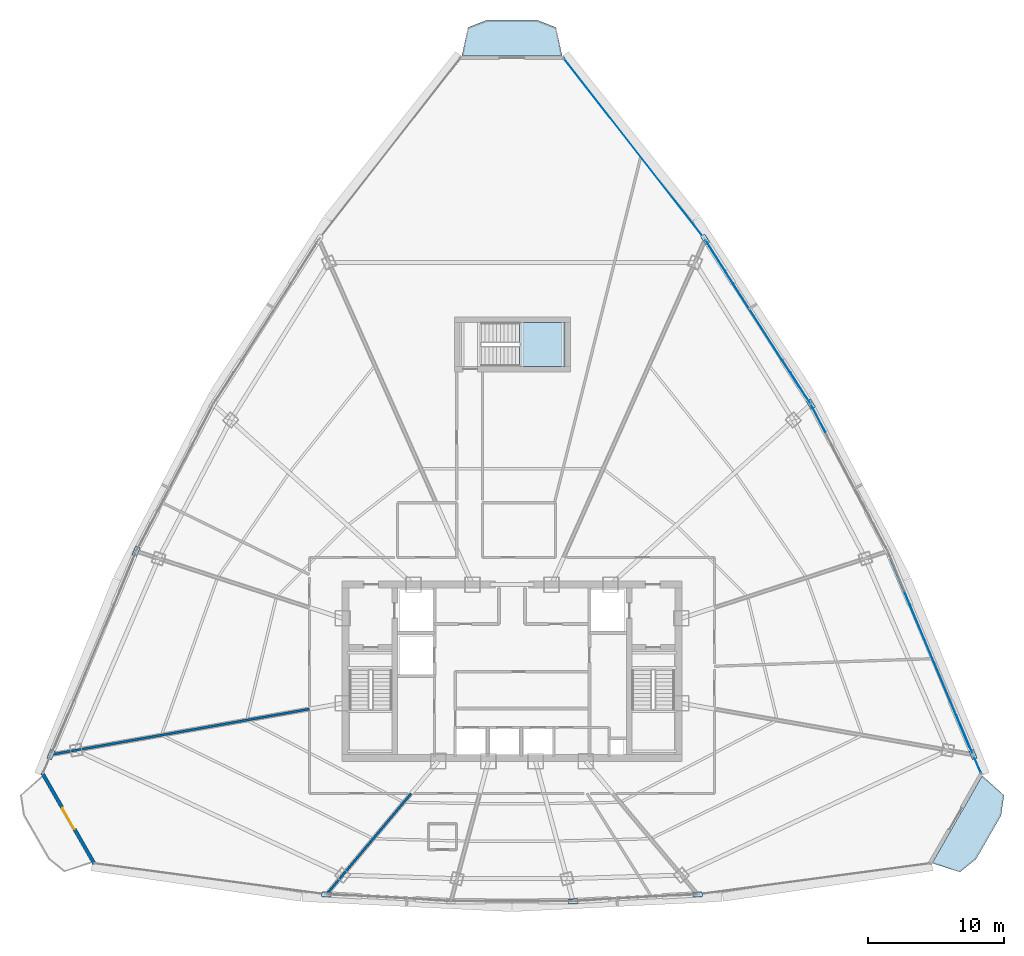
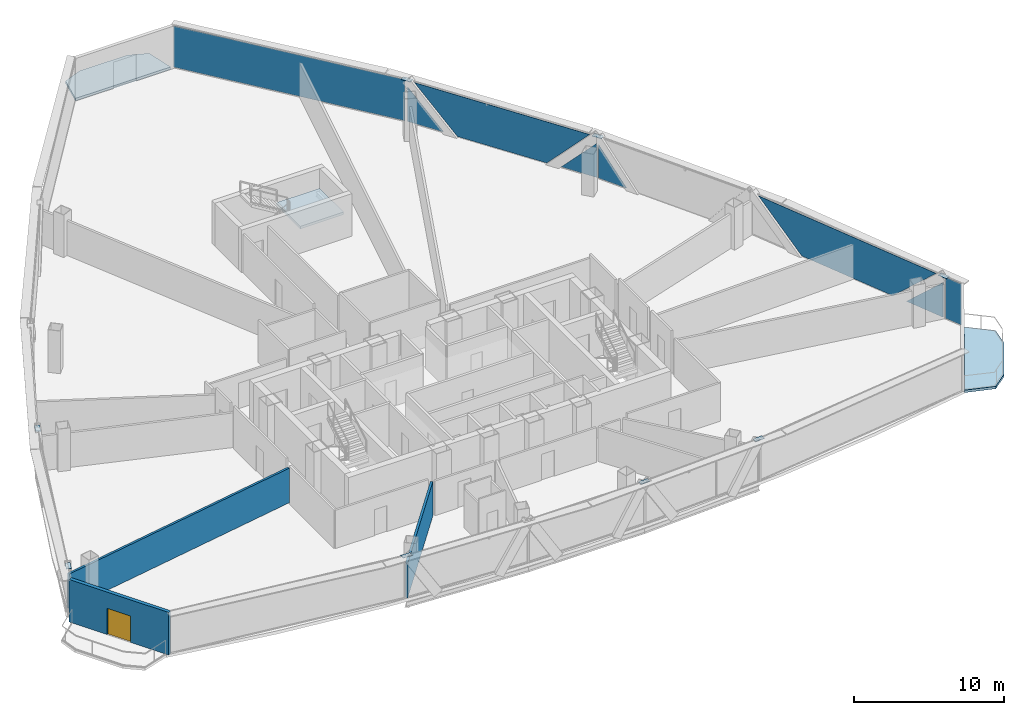
# One storey, part 29 of 37: 16 plates, 3 slabs, 3 walls, 1 door, 1 opening, 6 elements without a shape of their own.
"""IFC4 building model written with IfcOpenShell, lengths in metres."""

from ifc_helpers import new_model, si_unit, direction, frame, frame_2d, origin, origin_with_axes, origin_2d, place, context, subcontext, project, spatial, polyline, rectangle, outline, extrude, source, transform, mapped, material, layer, layer_set, type_object, element, fill, aggregate, save


model = new_model("IFC4")

# Units and contexts
model_context = context("Model", 3, precision=1e-05, world=origin(), true_north=direction((0.0, 1.0)))
body_context = subcontext(model_context, "Body", "Model", "MODEL_VIEW")
ifc_project = project(units=[si_unit("LENGTHUNIT", "METRE"), si_unit("AREAUNIT", "SQUARE_METRE"), si_unit("VOLUMEUNIT", "CUBIC_METRE"), si_unit("PLANEANGLEUNIT", "RADIAN"), si_unit("MASSUNIT", "GRAM", prefix="KILO"), si_unit("THERMODYNAMICTEMPERATUREUNIT", "KELVIN"), si_unit("POWERUNIT", "WATT")], contexts=[model_context])

# Site, building, storey
site_placement = place(None, origin())
site = spatial("IfcSite", under=ifc_project, at=site_placement, CompositionType="ELEMENT")
building_placement = place(site_placement, origin())
building = spatial("IfcBuilding", under=site, at=building_placement, Name="Yunzhuo Pagoda Commons", CompositionType="ELEMENT")
storey_placement = place(building_placement, frame((0.0, 0.0, 251.989990234375)))
storey = spatial("IfcBuildingStorey", under=building, at=storey_placement, Name="L63", CompositionType="ELEMENT", Elevation=251.989990234375)

# Curtain wall, plates
ifc_material_1 = material(Name="Anodized aluminium 6063-T6", Category="aluminium")
ifc_layer_1 = layer(ifc_material_1, 0.139892578125)
ifc_layer_set_1 = layer_set([ifc_layer_1], Name="Anodized aluminium 6063-T6")
curtain_wall_type = type_object("IfcCurtainWallType", Name="CW-HI High-Zone Ribbon Curtain Wall", PredefinedType="NOTDEFINED", material=ifc_layer_set_1)
curtain_wall_1_placement = place(storey_placement, origin())
curtain_wall_1 = element("IfcCurtainWall", 1, at=curtain_wall_1_placement, inside=storey, type_object=curtain_wall_type, Name="L63 curtain wall CW-L63-F2B2", PredefinedType="NOTDEFINED")
ifc_material_2 = material(Name="Tempered low-e double glazing", Category="glass")
ifc_layer_2 = layer(ifc_material_2, 0.02587890625)
ifc_layer_set_2 = layer_set([ifc_layer_2], Name="Tempered low-e double glazing")
plate_type_1 = type_object("IfcPlateType", Name="CW-HI-P Low-E Double Glazing 26", PredefinedType="CURTAIN_PANEL", material=ifc_layer_set_2)
plate_1_placement = place(storey_placement, frame((81.15576171875, 29.212646484375, 1.476318359375), z_axis=(0.922450521644, 0.38611531324, 0.0), x_axis=(-0.38611531324, 0.922450521644, 0.0)))
plate_1 = element("IfcPlate", 2, at=plate_1_placement, type_object=plate_type_1, Name="CW panel 1.1 lite 1", PredefinedType="CURTAIN_PANEL", context=body_context, shape_type="SweptSolid", body=[
    extrude(outline(polyline([(-1.539306640625, -1.421142578125), (1.539306640625, -1.421142578125), (-1.539306640625, 1.421142578125), (-1.539306640625, -1.421142578125)])), origin(), (0.0, 0.0, 1.0), 0.028076171875),
])
plate_2_placement = place(storey_placement, frame((78.62548828125, 35.179443359375, 1.735107421875), z_axis=(0.922450521644, 0.38611531324, 0.0), x_axis=(-0.38611531324, 0.922450521644, 0.0)))
plate_2 = element("IfcPlate", 3, at=plate_2_placement, type_object=plate_type_1, Name="CW panel 1.1 lite 2", PredefinedType="CURTAIN_PANEL", context=body_context, shape_type="SweptSolid", body=[
    extrude(outline(polyline([(-7.460693359375, 1.679931640625), (-3.8212890625, -1.679931640625), (3.8212890625, -1.679931640625), (7.460693359375, 1.679931640625), (-7.460693359375, 1.679931640625)])), origin(), (0.0, 0.0, 1.0), 0.028076171875),
])
aggregate(curtain_wall_1, [plate_1, plate_2])

# Curtain wall, plate
curtain_wall_2_placement = place(storey_placement, origin())
curtain_wall_2 = element("IfcCurtainWall", 4, at=curtain_wall_2_placement, inside=storey, type_object=curtain_wall_type, Name="L63 curtain wall CW-L63-F2B3", PredefinedType="NOTDEFINED")
plate_3_placement = place(storey_placement, frame((70.435546875, 52.371826171875, 1.4248046875), z_axis=(0.885743148427, 0.464175694123, 0.0), x_axis=(-0.464175694123, 0.885743148427, 0.0)))
plate_3 = element("IfcPlate", 5, at=plate_3_placement, type_object=plate_type_1, Name="CW panel 1.1 lite 3", PredefinedType="CURTAIN_PANEL", context=body_context, shape_type="SweptSolid", body=[
    extrude(outline(polyline([(-1.116455078125, -1.369873046875), (1.116455078125, -1.369873046875), (1.116455078125, 1.3701171875), (-1.116455078125, -1.369873046875)])), origin(), (0.0, 0.0, 1.0), 0.028076171875),
])
aggregate(curtain_wall_2, [plate_3])

# Curtain wall, plates
curtain_wall_3_placement = place(storey_placement, origin())
curtain_wall_3 = element("IfcCurtainWall", 6, at=curtain_wall_3_placement, inside=storey, type_object=curtain_wall_type, Name="L63 curtain wall CW-L63-F2B4", PredefinedType="NOTDEFINED")
plate_4_placement = place(storey_placement, frame((69.1298828125, 54.598388671875, 1.457275390625), z_axis=(0.841750083847, 0.539867387738, 0.0), x_axis=(-0.539867387738, 0.841750083847, 0.0)))
plate_4 = element("IfcPlate", 7, at=plate_4_placement, type_object=plate_type_1, Name="CW panel 1.1 lite 1", PredefinedType="CURTAIN_PANEL", context=body_context, shape_type="SweptSolid", body=[
    extrude(outline(polyline([(-1.348388671875, -1.402099609375), (1.348388671875, -1.402099609375), (-1.348388671875, 1.402099609375), (-1.348388671875, -1.402099609375)])), origin(), (0.0, 0.0, 1.0), 0.028076171875),
])
plate_5_placement = place(storey_placement, frame((65.992431640625, 59.434814453125, 1.735107421875), z_axis=(0.841750083847, 0.539867387738, 0.0), x_axis=(-0.539867387738, 0.841750083847, 0.0)))
plate_5 = element("IfcPlate", 8, at=plate_5_placement, type_object=plate_type_1, Name="CW panel 1.1 lite 2", PredefinedType="CURTAIN_PANEL", context=body_context, shape_type="SweptSolid", body=[
    extrude(outline(polyline([(-6.593017578125, 1.679931640625), (-3.3623046875, -1.679931640625), (3.3623046875, -1.679931640625), (6.593017578125, 1.679931640625), (-6.593017578125, 1.679931640625)])), origin(), (0.0, 0.0, 1.0), 0.028076171875),
])
plate_6_placement = place(storey_placement, frame((62.9052734375, 64.3037109375, 1.457275390625), z_axis=(0.841750083847, 0.539867387738, 0.0), x_axis=(-0.539867387738, 0.841750083847, 0.0)))
plate_6 = element("IfcPlate", 9, at=plate_6_placement, type_object=plate_type_1, Name="CW panel 1.1 lite 3", PredefinedType="CURTAIN_PANEL", context=body_context, shape_type="SweptSolid", body=[
    extrude(outline(polyline([(-1.348388671875, -1.402099609375), (1.348388671875, -1.402099609375), (1.348388671875, 1.402099609375), (-1.348388671875, -1.402099609375)])), origin(), (0.0, 0.0, 1.0), 0.028076171875),
])
aggregate(curtain_wall_3, [plate_4, plate_5, plate_6])

# Slabs
ifc_material_3 = material(Name="Concrete C40", Category="concrete")
ifc_layer_3 = layer(ifc_material_3, 0.199951171875)
ifc_layer_set_3 = layer_set([ifc_layer_3], Name="Concrete C40")
slab_type_1 = type_object("IfcSlabType", Name="SL-BAL Vertex Balcony Deck Slab 200", PredefinedType="FLOOR", material=ifc_layer_set_3)
slab_1_placement = place(storey_placement, frame((0.0, 0.0, -0.199951171875)))
element("IfcSlab", 10, at=slab_1_placement, inside=storey, type_object=slab_type_1, Name="L63 corner balcony V2", PredefinedType="FLOOR", context=body_context, shape_type="SweptSolid", body=[
    extrude(outline(polyline([(78.784912109375, 19.79150390625), (82.461181640625, 26.194580078125), (84.053955078125, 24.760986328125), (83.8359375, 23.276611328125), (81.997802734375, 20.0751953125), (80.82568359375, 19.138427734375), (78.784912109375, 19.79150390625)])), origin(), (0.0, 0.0, 1.0), 0.199951171875),
])
slab_2_placement = place(storey_placement, frame((0.0, 0.0, -0.199951171875)))
element("IfcSlab", 11, at=slab_2_placement, inside=storey, type_object=slab_type_1, Name="L63 corner balcony V3", PredefinedType="FLOOR", context=body_context, shape_type="SweptSolid", body=[
    extrude(outline(polyline([(51.676513671875, 78.93212890625), (44.323486328125, 78.93212890625), (44.773681640625, 81.027099609375), (46.161865234375, 81.5771484375), (49.838134765625, 81.5771484375), (51.226318359375, 81.027099609375), (51.676513671875, 78.93212890625)])), origin(), (0.0, 0.0, 1.0), 0.199951171875),
])

# Stair, slab
stair_type = type_object("IfcStairType", Name="ST-C3 North Tower Smokeproof Stair ST3", PredefinedType="HALF_TURN_STAIR", material=ifc_material_3)
stair_placement = place(storey_placement, origin())
stair = element("IfcStair", 12, at=stair_placement, inside=storey, type_object=stair_type, Name="L63 North tower smokeproof stair ST3", PredefinedType="HALF_TURN_STAIR")
ifc_layer_4 = layer(ifc_material_3, 0.2041015625)
ifc_layer_set_4 = layer_set([ifc_layer_4], Name="Concrete C40")
slab_type_2 = type_object("IfcSlabType", Name="SL-LND5 North Landing Slab 204", PredefinedType="LANDING", material=ifc_layer_set_4)
slab_3_placement = place(storey_placement, frame((0.0, 0.0, 1.6650390625)))
slab_3 = element("IfcSlab", 13, at=slab_3_placement, type_object=slab_type_2, Name="ST3 landing 1", PredefinedType="LANDING", context=body_context, shape_type="SweptSolid", body=[
    extrude(outline(polyline([(48.550048828125, 56.199951171875), (51.89990234375, 56.199951171875), (51.89990234375, 59.39990234375), (48.550048828125, 59.39990234375), (48.550048828125, 56.199951171875)])), origin(), (0.0, 0.0, 1.0), 0.199951171875),
])
aggregate(stair, [slab_3])

# Plates
ifc_material_4 = material(Name="Structural steel Q355B", Category="steel")
ifc_layer_5 = layer(ifc_material_4, 0.028076171875)
ifc_layer_set_5 = layer_set([ifc_layer_5], Name="Structural steel Q355B")
plate_type_2 = type_object("IfcPlateType", Name="SP-ND1 Lattice Node Cap Plate 800x500x28", PredefinedType="USERDEFINED", material=ifc_layer_set_5)
shared_shape_1 = source(origin(), body_context, "Body", "SweptSolid", [
    extrude(rectangle(XDim=0.699951171875, YDim=0.35009765625, at=origin_2d()), origin(), (0.0, 0.0, 1.0), 0.035888671875),
])
for number, where, z_axis, x_axis, name in (
    (14, (34.404541015625, 17.49755859375, 3.43212890625), (0.0, 0.0, 1.0), (0.998541385791, -0.053991674016, 0.0), "L63 setback lattice tie plate F1.1L"),
    (15, (52.4736328125, 17.00439453125, 3.43212890625), (0.0, 0.0, 1.0), (0.998541385791, 0.053991674016, 0.0), "L63 setback lattice tie plate F1.3L"),
    (16, (61.595458984375, 17.49755859375, 3.43212890625), (0.0, 0.0, 1.0), (0.998541385791, 0.053991674016, 0.0), "L63 setback lattice tie plate F1.3R"),
    (17, (81.7861328125, 27.74267578125, 3.43212890625), (0.0, 0.0, 1.0), (-0.386115349642, 0.922450506407, 0.0), "L63 setback lattice tie plate F2.1L"),
    (18, (69.90185546875, 53.420654296875, 3.43212890625), (0.0, 0.0, 1.0), (-0.539873090716, 0.841746426141, 0.0), "L63 setback lattice tie plate F2.3L"),
    (19, (62.15673828125, 65.49658203125, 3.43212890625), (0.0, 0.0, 1.0), (-0.539873090716, 0.841746426141, 0.0), "L63 setback lattice tie plate F2.3R"),
    (20, (20.453857421875, 42.650390625, 3.43212890625), (0.0, 0.0, 1.0), (-0.386115349642, -0.922450506407, 0.0), "L63 setback lattice tie plate F3.3L"),
    (21, (14.2138671875, 27.74267578125, 3.43212890625), (0.0, 0.0, 1.0), (-0.386115349642, -0.922450506407, 0.0), "L63 setback lattice tie plate F3.3R"),
):
    element("IfcPlate", number, at=place(storey_placement, frame(where, z_axis=z_axis, x_axis=x_axis)), inside=storey, type_object=plate_type_2, Name=name, ObjectType="STIFFENER_PLATE", PredefinedType="USERDEFINED", context=body_context, shape_type="MappedRepresentation", body=[
        mapped(shared_shape_1, transform((0.0, 0.0, 0.0), scale=1.0)),
    ])

# Curtain wall, plate
curtain_wall_4_placement = place(storey_placement, origin())
curtain_wall_4 = element("IfcCurtainWall", 22, at=curtain_wall_4_placement, inside=storey, type_object=curtain_wall_type, Name="L63 curtain wall CW-L63-F2B1", PredefinedType="NOTDEFINED")
shared_shape_2 = source(origin(), body_context, "Body", "SweptSolid", [
    extrude(rectangle(XDim=1.328857421875, YDim=0.028076171875, at=origin_2d()), origin(), (0.0, 0.0, 1.0), 3.360107421875),
])
plate_7_placement = place(storey_placement, frame((82.103759765625, 27.009033203125, 0.05517578125), z_axis=(0.0, 0.0, 1.0), x_axis=(-0.397256840254, 0.917707471295, 0.0)))
plate_7 = element("IfcPlate", 23, at=plate_7_placement, type_object=plate_type_1, Name="CW panel 1.1", PredefinedType="CURTAIN_PANEL", context=body_context, shape_type="MappedRepresentation", body=[
    mapped(shared_shape_2, transform((0.0, 0.0, 0.0), scale=1.0)),
])
aggregate(curtain_wall_4, [plate_7])

curtain_wall_5_placement = place(storey_placement, origin())
curtain_wall_5 = element("IfcCurtainWall", 24, at=curtain_wall_5_placement, inside=storey, type_object=curtain_wall_type, Name="L63 curtain wall CW-L63-F2B5", PredefinedType="NOTDEFINED")
shared_shape_3 = source(origin(), body_context, "Body", "SweptSolid", [
    extrude(rectangle(XDim=16.679931640625, YDim=0.028076171875, at=origin_2d()), origin(), (0.0, 0.0, 1.0), 3.360107421875),
])
plate_8_placement = place(storey_placement, frame((56.94091796875, 72.176513671875, 0.05517578125), z_axis=(0.0, 0.0, 1.0), x_axis=(-0.615432519405, 0.788189580024, 0.0)))
plate_8 = element("IfcPlate", 25, at=plate_8_placement, type_object=plate_type_1, Name="CW panel 1.1", PredefinedType="CURTAIN_PANEL", context=body_context, shape_type="MappedRepresentation", body=[
    mapped(shared_shape_3, transform((0.0, 0.0, 0.0), scale=1.0)),
])
aggregate(curtain_wall_5, [plate_8])

# Wall, opening, door
ifc_material_5 = material(Name="Precast concrete C40", Category="concrete")
ifc_layer_6 = layer(ifc_material_5, 0.260009765625)
ifc_layer_set_6 = layer_set([ifc_layer_6], Name="Precast concrete C40")
wall_type_1 = type_object("IfcWallType", Name="W-BAL1 Corner Balcony Threshold Wall 260", PredefinedType="STANDARD", material=ifc_layer_set_6)
wall_1_placement = place(storey_placement, frame((13.5810546875, 26.391845703125, 0.0), z_axis=(0.0, 0.0, 1.0), x_axis=(0.497934343816, -0.867214730761, 0.0)))
wall_1 = element("IfcWall", 26, at=wall_1_placement, inside=storey, type_object=wall_type_1, Name="L63 corner balcony wall V1", PredefinedType="STANDARD", context=body_context, shape_type="SweptSolid", body=[
    extrude(rectangle(XDim=7.68359375, YDim=0.260009765625, at=frame_2d((3.841796875, 0.0))), origin(), (0.0, 0.0, 1.0), 3.469970703125),
])
opening_placement = place(wall_1_placement, frame((2.94189453125, 0.0, 0.0)))
opening = element("IfcOpeningElement", 27, at=opening_placement, cuts=wall_1, Name="Opening D-BAL1", PredefinedType="OPENING", context=body_context, shape_type="SweptSolid", body=[
    extrude(rectangle(XDim=1.800048828125, YDim=2.14990234375, at=frame_2d((0.89990234375, 1.074951171875))), frame((0.0, 0.14013671875, 0.0), z_axis=(0.0, -1.0, 0.0), x_axis=(1.0, 0.0, 0.0)), (0.0, 0.0, 1.0), 0.280029296875),
])
ifc_material_6 = material(Name="Anodized aluminium frame and tempered glazed leaf", Category="aluminium")
door_type = type_object("IfcDoorType", Name="D-BAL1 Corner Balcony Sliding Glazed Door 1800x2150", OperationType="DOUBLE_DOOR_SLIDING", PredefinedType="DOOR", material=ifc_material_6)
shared_shape_4 = source(origin(), body_context, "Body", "SweptSolid", [
    extrude(rectangle(XDim=1.800048828125, YDim=2.14990234375, at=frame_2d((0.89990234375, 1.074951171875))), frame((0.0, 0.02490234375, 0.0), z_axis=(0.0, -1.0, 0.0), x_axis=(1.0, 0.0, 0.0)), (0.0, 0.0, 1.0), 0.050048828125),
])
door_placement = place(opening_placement, origin_with_axes())
door = element("IfcDoor", 28, at=door_placement, inside=storey, type_object=door_type, Name="L63 corner balcony sliding door V1", OperationType="DOUBLE_DOOR_SLIDING", OverallHeight=2.14990234375, OverallWidth=1.800048828125, PredefinedType="DOOR", context=body_context, shape_type="MappedRepresentation", body=[
    mapped(shared_shape_4, transform((0.0, 0.0, 0.0), scale=1.0)),
])
fill(opening, door)

# Walls
ifc_material_7 = material(Name="Gypsum plasterboard on acoustic stud")
ifc_layer_7 = layer(ifc_material_7, 0.169921875)
ifc_layer_set_7 = layer_set([ifc_layer_7], Name="Gypsum plasterboard on acoustic stud")
wall_type_2 = type_object("IfcWallType", Name="W-PRT4 High-Zone Demising Wall 170", PredefinedType="PARTITIONING", material=ifc_layer_set_7)
wall_2_placement = place(storey_placement, frame((33.14990234375, 31.08154296875, 0.0), z_axis=(0.0, 0.0, 1.0), x_axis=(-0.984808346381, -0.173644812474, 0.0)))
element("IfcWall", 29, at=wall_2_placement, inside=storey, type_object=wall_type_2, Name="L63 interior wall IW-L63-RAD08", PredefinedType="PARTITIONING", context=body_context, shape_type="SweptSolid", body=[
    extrude(rectangle(XDim=19.22802734375, YDim=0.169921875, at=frame_2d((9.614013671875, 0.0))), origin(), (0.0, 0.0, 1.0), 2.820068359375),
])
wall_3_placement = place(storey_placement, frame((40.615966796875, 24.89990234375, 0.0), z_axis=(0.0, 0.0, 1.0), x_axis=(-0.642795010628, -0.766038232931, 0.0)))
element("IfcWall", 30, at=wall_3_placement, inside=storey, type_object=wall_type_2, Name="L63 interior wall IW-L63-RAD09", PredefinedType="PARTITIONING", context=body_context, shape_type="SweptSolid", body=[
    extrude(rectangle(XDim=9.6630859375, YDim=0.169921875, at=frame_2d((4.83154296875, 0.0))), origin(), (0.0, 0.0, 1.0), 2.820068359375),
])

save(model, "model.ifc")
